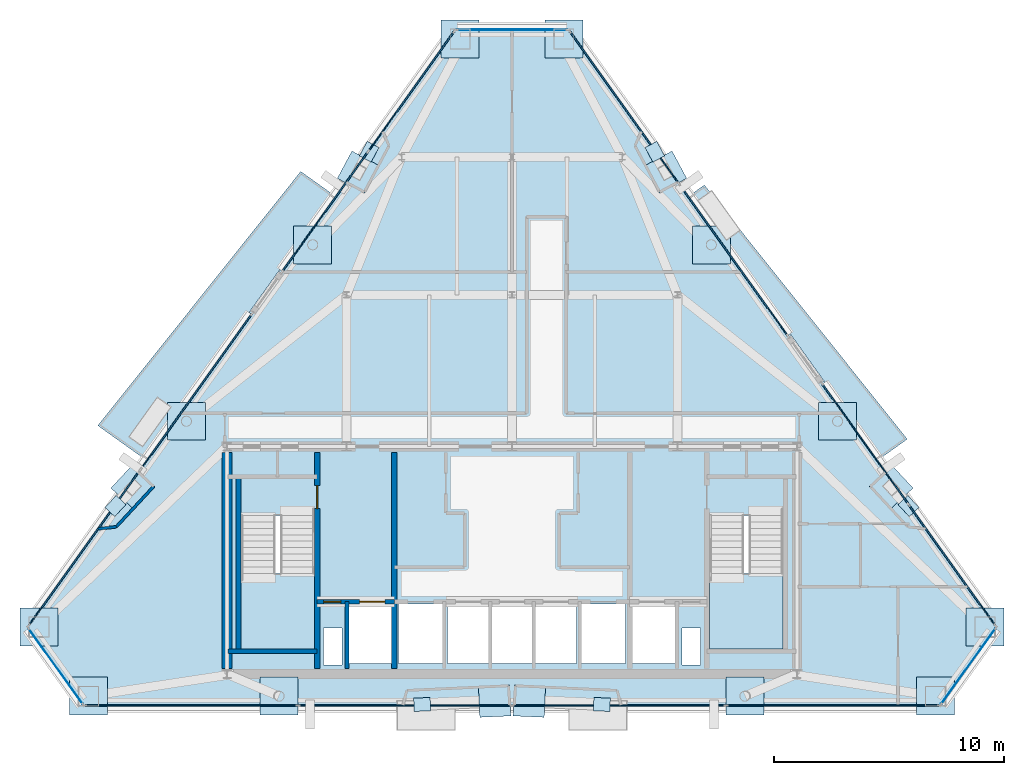
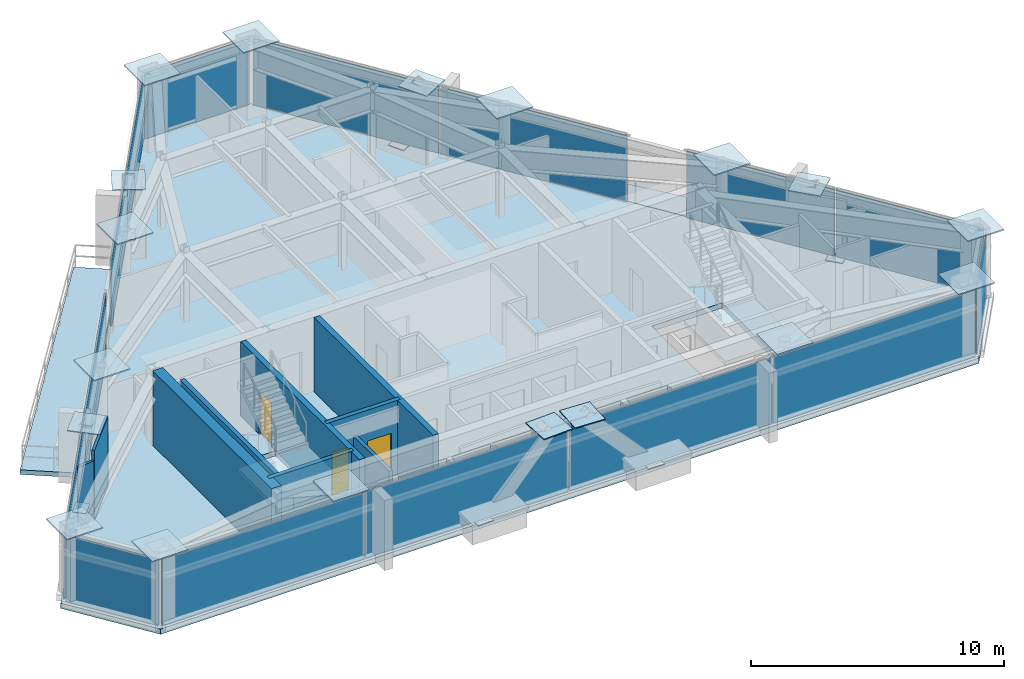
# One storey, part 7 of 12: 39 plates, 9 walls, 5 slabs, 3 doors, 3 openings, 10 elements without a shape of their own.
"""IFC4 building model written with IfcOpenShell, lengths in metres."""

from ifc_helpers import new_model, si_unit, direction, frame, frame_2d, origin, origin_2d, place, context, subcontext, project, spatial, polyline, rectangle, outline, extrude, source, transform, mapped, material, layer, layer_set, type_object, type_shapes, element, fill, aggregate, save


model = new_model("IFC4")

# Units and contexts
model_context = context("Model", 3, precision=1e-05, world=origin(), true_north=direction((0.0, 1.0)))
body_context = subcontext(model_context, "Body", "Model", "MODEL_VIEW")
ifc_project = project(units=[si_unit("LENGTHUNIT", "METRE"), si_unit("AREAUNIT", "SQUARE_METRE"), si_unit("VOLUMEUNIT", "CUBIC_METRE"), si_unit("PLANEANGLEUNIT", "RADIAN"), si_unit("MASSUNIT", "GRAM", prefix="KILO")], contexts=[model_context])

# Site, building, storey
site_placement = place(None, origin())
site = spatial("IfcSite", under=ifc_project, at=site_placement, CompositionType="ELEMENT")
building_placement = place(site_placement, origin())
building = spatial("IfcBuilding", under=site, at=building_placement, Name="Talgorran Terracotta Tower", CompositionType="ELEMENT")
storey_placement = place(building_placement, frame((0.0, 0.0, 259.800048828125)))
storey = spatial("IfcBuildingStorey", under=building, at=storey_placement, Name="L68", CompositionType="ELEMENT", Elevation=259.800048828125)

# Plates
ifc_material_1 = material(Name="Steel Grade 350 (350L0)", Category="steel")
ifc_layer_1 = layer(ifc_material_1, 0.031982421875, Name="PL_CAP_MN07")
ifc_layer_set_1 = layer_set([ifc_layer_1], Name="Steel Grade 350 (350L0)")
plate_type_1 = type_object("IfcPlateType", Name="PL_CAP_MN07", PredefinedType="USERDEFINED", material=ifc_layer_set_1)
for number, where, z_axis, x_axis, name in (
    (1, (-3.90966796875, -15.42333984375, -0.005859375), (0.0, 0.0, 1.0), (0.99895467426, 0.04571169187, 0.0), "L68 Diagonal Frame End Cap SWF Bot"),
    (2, (3.90966796875, -15.42333984375, -0.005859375), (0.0, 0.0, 1.0), (-0.99895467426, 0.04571169187, 0.0), "L68 Diagonal Frame End Cap SEF Bot"),
    (3, (17.255126953125, -6.7880859375, -0.005859375), (0.0, 0.0, 1.0), (-0.679569353932, 0.73361126845, 0.0), "L68 Diagonal Frame End Cap NEL Bot"),
    (4, (6.2158203125, 8.628173828125, -0.005859375), (0.0, 0.0, 1.0), (0.471935383883, -0.881633139939, 0.0), "L68 Diagonal Frame End Cap NEU Bot"),
    (5, (-6.2158203125, 8.628173828125, -0.005859375), (0.0, 0.0, 1.0), (-0.471935383883, -0.881633139939, 0.0), "L68 Diagonal Frame End Cap NWU Bot"),
    (6, (-17.255126953125, -6.7880859375, -0.005859375), (0.0, 0.0, 1.0), (0.679569353932, 0.73361126845, 0.0), "L68 Diagonal Frame End Cap NWL Bot"),
):
    element("IfcPlate", number, at=place(storey_placement, frame(where, z_axis=z_axis, x_axis=x_axis)), inside=storey, type_object=plate_type_1, Name=name, ObjectType="CAP PLATE", PredefinedType="USERDEFINED", context=body_context, shape_type="SweptSolid", body=[
        extrude(rectangle(XDim=0.719970703125, YDim=0.580078125, at=origin_2d()), origin(), (0.0, 0.0, 1.0), 0.031982421875),
    ])
ifc_layer_2 = layer(ifc_material_1, 0.06005859375, Name="PL_NODE_MN01")
ifc_layer_set_2 = layer_set([ifc_layer_2], Name="Steel Grade 350 (350L0)")
plate_type_2 = type_object("IfcPlateType", Name="PL_NODE_MN01", PredefinedType="USERDEFINED", material=ifc_layer_set_2)
for number, where, z_axis, x_axis, name in (
    (7, (-20.585205078125, -12.056640625, 3.5849609375), (0.0, 0.0, 1.0), (1.0, 0.0, 0.0), "L68 Mega-Column Cap Plate MC1"),
    (8, (-18.43212890625, -15.063232421875, 3.5849609375), (0.0, 0.0, 1.0), (1.0, 0.0, 0.0), "L68 Mega-Column Cap Plate MC2"),
    (9, (18.43212890625, -15.063232421875, 3.5849609375), (0.0, 0.0, 1.0), (1.0, 0.0, 0.0), "L68 Mega-Column Cap Plate MC3"),
    (10, (20.585205078125, -12.056640625, 3.5849609375), (0.0, 0.0, 1.0), (1.0, 0.0, 0.0), "L68 Mega-Column Cap Plate MC4"),
    (11, (2.258056640625, 13.53662109375, 3.5849609375), (0.0, 0.0, 1.0), (1.0, 0.0, 0.0), "L68 Mega-Column Cap Plate MC5"),
    (12, (-2.258056640625, 13.53662109375, 3.5849609375), (0.0, 0.0, 1.0), (1.0, 0.0, 0.0), "L68 Mega-Column Cap Plate MC6"),
    (13, (-10.1376953125, -15.063232421875, 3.5849609375), (0.0, 0.0, 1.0), (1.0, 0.0, 0.0), "L68 Facet Column Cap Plate FC1"),
    (14, (10.1376953125, -15.063232421875, 3.5849609375), (0.0, 0.0, 1.0), (1.0, 0.0, 0.0), "L68 Facet Column Cap Plate FC2"),
    (15, (14.170654296875, -3.09912109375, 3.5849609375), (0.0, 0.0, 1.0), (1.0, 0.0, 0.0), "L68 Facet Column Cap Plate FC3"),
    (16, (8.672607421875, 4.5791015625, 3.5849609375), (0.0, 0.0, 1.0), (1.0, 0.0, 0.0), "L68 Facet Column Cap Plate FC4"),
    (17, (-8.672607421875, 4.5791015625, 3.5849609375), (0.0, 0.0, 1.0), (1.0, 0.0, 0.0), "L68 Facet Column Cap Plate FC5"),
    (18, (-14.170654296875, -3.09912109375, 3.5849609375), (0.0, 0.0, 1.0), (1.0, 0.0, 0.0), "L68 Facet Column Cap Plate FC6"),
):
    element("IfcPlate", number, at=place(storey_placement, frame(where, z_axis=z_axis, x_axis=x_axis)), inside=storey, type_object=plate_type_2, Name=name, ObjectType="NODE PLATE", PredefinedType="USERDEFINED", context=body_context, shape_type="SweptSolid", body=[
        extrude(rectangle(XDim=1.64990234375, YDim=1.64990234375, at=origin_2d()), origin(), (0.0, 0.0, 1.0), 0.06005859375),
    ])
ifc_layer_3 = layer(ifc_material_1, 0.050048828125, Name="PL_NODE_MN03")
ifc_layer_set_3 = layer_set([ifc_layer_3], Name="Steel Grade 350 (350L0)")
plate_type_3 = type_object("IfcPlateType", Name="PL_NODE_MN03", PredefinedType="USERDEFINED", material=ifc_layer_set_3)
for number, where, z_axis, x_axis, name in (
    (19, (-0.756103515625, -15.27880859375, 3.31005859375), (0.0, 0.0, 1.0), (0.99895467426, 0.04571169187, 0.0), "L68 Diagonal Frame End Cap SWF Top"),
    (20, (0.756103515625, -15.27880859375, 3.31005859375), (0.0, 0.0, 1.0), (-0.99895467426, 0.04571169187, 0.0), "L68 Diagonal Frame End Cap SEF Top"),
    (21, (16.499267578125, -5.97216796875, 3.31005859375), (0.0, 0.0, 1.0), (-0.679569353932, 0.73361126845, 0.0), "L68 Diagonal Frame End Cap NEL Top"),
    (22, (6.6884765625, 7.74560546875, 3.31005859375), (0.0, 0.0, 1.0), (0.471935383883, -0.881633139939, 0.0), "L68 Diagonal Frame End Cap NEU Top"),
    (23, (-6.6884765625, 7.74560546875, 3.31005859375), (0.0, 0.0, 1.0), (-0.471935383883, -0.881633139939, 0.0), "L68 Diagonal Frame End Cap NWU Top"),
    (24, (-16.499267578125, -5.97216796875, 3.31005859375), (0.0, 0.0, 1.0), (0.679569353932, 0.73361126845, 0.0), "L68 Diagonal Frame End Cap NWL Top"),
):
    element("IfcPlate", number, at=place(storey_placement, frame(where, z_axis=z_axis, x_axis=x_axis)), inside=storey, type_object=plate_type_3, Name=name, ObjectType="NODE PLATE", PredefinedType="USERDEFINED", context=body_context, shape_type="SweptSolid", body=[
        extrude(rectangle(XDim=1.35009765625, YDim=1.35009765625, at=origin_2d()), origin(), (0.0, 0.0, 1.0), 0.050048828125),
    ])

# Slabs
ifc_material_2 = material(Name="Concrete C40/50", Category="concrete")
ifc_layer_4 = layer(ifc_material_2, 0.219970703125, Name="SL_BALCONY_220")
ifc_layer_set_4 = layer_set([ifc_layer_4], Name="Concrete C40/50")
slab_type_1 = type_object("IfcSlabType", Name="SL_BALCONY_220", PredefinedType="FLOOR", material=ifc_layer_set_4)
slab_1_placement = place(storey_placement, frame((0.0, 0.0, -0.219970703125)))
element("IfcSlab", 25, at=slab_1_placement, inside=storey, type_object=slab_type_1, Name="L68 Outdoor Wave Balcony BAL-NE", PredefinedType="FLOOR", context=body_context, shape_type="SweptSolid", body=[
    extrude(outline(polyline([(7.773193359375, 6.753662109375), (16.001220703125, -4.736083984375), (17.19970703125, -3.8779296875), (8.369873046875, 7.180908203125), (7.773193359375, 6.753662109375)])), origin(), (0.0, 0.0, 1.0), 0.219970703125),
])
slab_2_placement = place(storey_placement, frame((0.0, 0.0, -0.219970703125)))
element("IfcSlab", 26, at=slab_2_placement, inside=storey, type_object=slab_type_1, Name="L68 Outdoor Wave Balcony BAL-NW", PredefinedType="FLOOR", context=body_context, shape_type="SweptSolid", body=[
    extrude(outline(polyline([(-16.001220703125, -4.736083984375), (-7.773193359375, 6.753662109375), (-9.192626953125, 7.77001953125), (-18.0224609375, -3.288818359375), (-16.001220703125, -4.736083984375)])), origin(), (0.0, 0.0, 1.0), 0.219970703125),
])

# Stair, slab
stair_type = type_object("IfcStairType", Name="ST_FIRE_SCISSOR", PredefinedType="HALF_TURN_STAIR", material=ifc_material_2)
stair_1_placement = place(storey_placement, origin())
stair_1 = element("IfcStair", 27, at=stair_1_placement, inside=storey, type_object=stair_type, Name="L68 West Protected Fire Stair ST-01", PredefinedType="HALF_TURN_STAIR")
ifc_layer_5 = layer(ifc_material_2, 0.199951171875, Name="SL_LANDING_200")
ifc_layer_set_5 = layer_set([ifc_layer_5], Name="Concrete C40/50")
slab_type_2 = type_object("IfcSlabType", Name="SL_LANDING_200", PredefinedType="LANDING", material=ifc_layer_set_5)
slab_3_placement = place(storey_placement, frame((0.0, 0.0, 1.599853515625)))
slab_3 = element("IfcSlab", 28, at=slab_3_placement, type_object=slab_type_2, Name="ST-01 landing 1", PredefinedType="LANDING", context=body_context, shape_type="SweptSolid", body=[
    extrude(outline(polyline([(-11.800048828125, -9.719970703125), (-11.800048828125, -13.0), (-8.60009765625, -13.0), (-8.60009765625, -9.719970703125), (-11.800048828125, -9.719970703125)])), origin(), (0.0, 0.0, 1.0), 0.2001953125),
])
aggregate(stair_1, [slab_3])

stair_2_placement = place(storey_placement, origin())
stair_2 = element("IfcStair", 29, at=stair_2_placement, inside=storey, type_object=stair_type, Name="L68 East Protected Fire Stair ST-02", PredefinedType="HALF_TURN_STAIR")
slab_4_placement = place(storey_placement, frame((0.0, 0.0, 1.599853515625)))
slab_4 = element("IfcSlab", 30, at=slab_4_placement, type_object=slab_type_2, Name="ST-02 landing 1", PredefinedType="LANDING", context=body_context, shape_type="SweptSolid", body=[
    extrude(outline(polyline([(8.60009765625, -9.719970703125), (8.60009765625, -13.0), (11.800048828125, -13.0), (11.800048828125, -9.719970703125), (8.60009765625, -9.719970703125)])), origin(), (0.0, 0.0, 1.0), 0.2001953125),
])
aggregate(stair_2, [slab_4])

# Slab
ifc_layer_6 = layer(ifc_material_2, 0.2548828125, Name="SL_TOWER_235")
ifc_layer_set_6 = layer_set([ifc_layer_6], Name="Concrete C40/50")
slab_type_3 = type_object("IfcSlabType", Name="SL_TOWER_235", PredefinedType="FLOOR", material=ifc_layer_set_6)
slab_5_placement = place(storey_placement, frame((0.0, 0.0, -0.255126953125)))
element("IfcSlab", 31, at=slab_5_placement, inside=storey, type_object=slab_type_3, Name="Storey L68 Structural Floor Slab", PredefinedType="FLOOR", context=body_context, shape_type="SweptSolid", body=[
    extrude(outline(polyline([(-21.224609375, -12.056640625), (-18.69921875, -15.583251953125), (18.69921875, -15.583251953125), (21.224609375, -12.056640625), (2.525390625, 14.056640625), (-2.525390625, 14.056640625), (-21.224609375, -12.056640625)]), holes=[polyline([(-11.800048828125, -7.199951171875), (-11.800048828125, -13.0), (-8.60009765625, -13.0), (-8.60009765625, -7.199951171875), (-11.800048828125, -7.199951171875)]), polyline([(8.60009765625, -7.199951171875), (8.60009765625, -13.0), (11.800048828125, -13.0), (11.800048828125, -7.199951171875), (8.60009765625, -7.199951171875)]), polyline([(-7.10009765625, -13.64990234375), (-5.199951171875, -13.64990234375), (-5.199951171875, -11.050048828125), (-7.10009765625, -11.050048828125), (-7.10009765625, -13.64990234375)]), polyline([(5.199951171875, -13.64990234375), (7.10009765625, -13.64990234375), (7.10009765625, -11.050048828125), (5.199951171875, -11.050048828125), (5.199951171875, -13.64990234375)]), polyline([(3.0, -13.64990234375), (4.949951171875, -13.64990234375), (4.949951171875, -11.050048828125), (3.0, -11.050048828125), (3.0, -13.64990234375)]), polyline([(-4.949951171875, -13.64990234375), (-3.0, -13.64990234375), (-3.0, -11.050048828125), (-4.949951171875, -11.050048828125), (-4.949951171875, -13.64990234375)]), polyline([(-2.800048828125, -13.64990234375), (-1.0, -13.64990234375), (-1.0, -11.050048828125), (-2.800048828125, -11.050048828125), (-2.800048828125, -13.64990234375)]), polyline([(-0.89990234375, -13.64990234375), (0.89990234375, -13.64990234375), (0.89990234375, -11.050048828125), (-0.89990234375, -11.050048828125), (-0.89990234375, -13.64990234375)]), polyline([(1.0, -13.64990234375), (2.800048828125, -13.64990234375), (2.800048828125, -11.050048828125), (1.0, -11.050048828125), (1.0, -13.64990234375)]), polyline([(-8.199951171875, -13.699951171875), (-7.39990234375, -13.699951171875), (-7.39990234375, -12.10009765625), (-8.199951171875, -12.10009765625), (-8.199951171875, -13.699951171875)]), polyline([(7.39990234375, -13.699951171875), (8.199951171875, -13.699951171875), (8.199951171875, -12.10009765625), (7.39990234375, -12.10009765625), (7.39990234375, -13.699951171875)])]), origin(), (0.0, 0.0, 1.0), 0.255126953125),
])

# Curtain wall, plate
ifc_material_3 = material(Name="High-Wind Unitised Glazing", Category="glass")
ifc_layer_7 = layer(ifc_material_3, 0.2099609375, Name="CW_SYS3_RES_HIGH")
ifc_layer_set_7 = layer_set([ifc_layer_7], Name="High-Wind Unitised Glazing")
curtain_wall_type = type_object("IfcCurtainWallType", Name="CW_SYS3_RES_HIGH", PredefinedType="NOTDEFINED", material=ifc_layer_set_7)
curtain_wall_1_placement = place(storey_placement, origin())
curtain_wall_1 = element("IfcCurtainWall", 32, at=curtain_wall_1_placement, inside=storey, type_object=curtain_wall_type, Name="CW-L68-F0", PredefinedType="NOTDEFINED")
ifc_material_4 = material(Name="High-Wind Acoustic Vision Glass", Category="glass")
ifc_layer_8 = layer(ifc_material_4, 0.031982421875, Name="PLT_VISION_32")
ifc_layer_set_8 = layer_set([ifc_layer_8], Name="High-Wind Acoustic Vision Glass")
plate_type_4 = type_object("IfcPlateType", Name="PLT_VISION_32", PredefinedType="CURTAIN_PANEL", material=ifc_layer_set_8)
shared_shape_1 = source(origin(), body_context, "Body", "SweptSolid", [
    extrude(rectangle(XDim=4.050048828125, YDim=0.031982421875, at=origin_2d()), origin(), (0.0, 0.0, 1.0), 3.205078125),
])
plate_1_placement = place(storey_placement, frame((-19.857421875, -13.760009765625, 0.06982421875), z_axis=(0.0, 0.0, 1.0), x_axis=(0.582219838862, -0.813031401137, 0.0)))
plate_1 = element("IfcPlate", 33, at=plate_1_placement, type_object=plate_type_4, Name="CW-L68-0 panel 1.1", PredefinedType="CURTAIN_PANEL", context=body_context, shape_type="MappedRepresentation", body=[
    mapped(shared_shape_1, transform((0.0, 0.0, 0.0), scale=1.0)),
])
aggregate(curtain_wall_1, [plate_1])

curtain_wall_2_placement = place(storey_placement, origin())
curtain_wall_2 = element("IfcCurtainWall", 34, at=curtain_wall_2_placement, inside=storey, type_object=curtain_wall_type, Name="CW-L68-F2", PredefinedType="NOTDEFINED")
plate_2_placement = place(storey_placement, frame((19.857421875, -13.760009765625, 0.06982421875), z_axis=(0.0, 0.0, 1.0), x_axis=(0.582219838862, 0.813031401137, 0.0)))
plate_2 = element("IfcPlate", 35, at=plate_2_placement, type_object=plate_type_4, Name="CW-L68-2 panel 1.1", PredefinedType="CURTAIN_PANEL", context=body_context, shape_type="MappedRepresentation", body=[
    mapped(shared_shape_1, transform((0.0, 0.0, 0.0), scale=1.0)),
])
aggregate(curtain_wall_2, [plate_2])

curtain_wall_3_placement = place(storey_placement, origin())
curtain_wall_3 = element("IfcCurtainWall", 36, at=curtain_wall_3_placement, inside=storey, type_object=curtain_wall_type, Name="CW-L68-F4", PredefinedType="NOTDEFINED")
shared_shape_2 = source(origin(), body_context, "Body", "SweptSolid", [
    extrude(rectangle(XDim=4.787109375, YDim=0.031982421875, at=origin_2d()), origin(), (0.0, 0.0, 1.0), 3.205078125),
])
type_shapes(plate_type_4, [shared_shape_1, shared_shape_2])
plate_3_placement = place(storey_placement, frame((0.0, 13.936767578125, 0.06982421875), z_axis=(0.0, 0.0, 1.0), x_axis=(-1.0, 0.0, 0.0)))
plate_3 = element("IfcPlate", 37, at=plate_3_placement, type_object=plate_type_4, Name="CW-L68-4 panel 1.1", PredefinedType="CURTAIN_PANEL", context=body_context, shape_type="MappedRepresentation", body=[
    mapped(shared_shape_2, transform((0.0, 0.0, 0.0), scale=1.0)),
])
aggregate(curtain_wall_3, [plate_3])

# Curtain wall, plates
curtain_wall_4_placement = place(storey_placement, origin())
curtain_wall_4 = element("IfcCurtainWall", 38, at=curtain_wall_4_placement, inside=storey, type_object=curtain_wall_type, Name="CW-L68-F1", PredefinedType="NOTDEFINED")
ifc_material_5 = material(Name="Terracotta Insulated Spandrel", Category="masonry")
ifc_layer_9 = layer(ifc_material_5, 0.06494140625, Name="PLT_SPANDREL_TERRA")
ifc_layer_set_9 = layer_set([ifc_layer_9], Name="Terracotta Insulated Spandrel")
plate_type_5 = type_object("IfcPlateType", Name="PLT_SPANDREL_TERRA", PredefinedType="SHEET", material=ifc_layer_set_9)
shared_shape_3 = source(origin(), body_context, "Body", "SweptSolid", [
    extrude(rectangle(XDim=9.2138671875, YDim=0.06494140625, at=origin_2d()), origin(), (0.0, 0.0, 1.0), 3.205078125),
])
plate_4_placement = place(storey_placement, frame((-13.960693359375, -15.46337890625, 0.06982421875), z_axis=(0.0, 0.0, 1.0), x_axis=(1.0, 0.0, 0.0)))
plate_4 = element("IfcPlate", 39, at=plate_4_placement, type_object=plate_type_5, Name="CW-L68-1 panel 1.1", PredefinedType="CURTAIN_PANEL", context=body_context, shape_type="MappedRepresentation", body=[
    mapped(shared_shape_3, transform((0.0, 0.0, 0.0), scale=1.0)),
])
plate_5_placement = place(storey_placement, frame((13.960693359375, -15.46337890625, 0.06982421875), z_axis=(0.0, 0.0, 1.0), x_axis=(1.0, 0.0, 0.0)))
plate_5 = element("IfcPlate", 40, at=plate_5_placement, type_object=plate_type_5, Name="CW-L68-1 panel 4.1", PredefinedType="CURTAIN_PANEL", context=body_context, shape_type="MappedRepresentation", body=[
    mapped(shared_shape_3, transform((0.0, 0.0, 0.0), scale=1.0)),
])
shared_shape_4 = source(origin(), body_context, "Body", "SweptSolid", [
    extrude(rectangle(XDim=9.248779296875, YDim=0.06494140625, at=origin_2d()), origin(), (0.0, 0.0, 1.0), 3.205078125),
])
plate_6_placement = place(storey_placement, frame((-4.659423828125, -15.46337890625, 0.06982421875), z_axis=(0.0, 0.0, 1.0), x_axis=(1.0, 0.0, 0.0)))
plate_6 = element("IfcPlate", 41, at=plate_6_placement, type_object=plate_type_5, Name="CW-L68-1 panel 2.1", PredefinedType="CURTAIN_PANEL", context=body_context, shape_type="MappedRepresentation", body=[
    mapped(shared_shape_4, transform((0.0, 0.0, 0.0), scale=1.0)),
])
plate_7_placement = place(storey_placement, frame((4.659423828125, -15.46337890625, 0.06982421875), z_axis=(0.0, 0.0, 1.0), x_axis=(1.0, 0.0, 0.0)))
plate_7 = element("IfcPlate", 42, at=plate_7_placement, type_object=plate_type_5, Name="CW-L68-1 panel 3.1", PredefinedType="CURTAIN_PANEL", context=body_context, shape_type="MappedRepresentation", body=[
    mapped(shared_shape_4, transform((0.0, 0.0, 0.0), scale=1.0)),
])
aggregate(curtain_wall_4, [plate_4, plate_6, plate_7, plate_5])

curtain_wall_5_placement = place(storey_placement, origin())
curtain_wall_5 = element("IfcCurtainWall", 43, at=curtain_wall_5_placement, inside=storey, type_object=curtain_wall_type, Name="CW-L68-F40", PredefinedType="NOTDEFINED")
shared_shape_5 = source(origin(), body_context, "Body", "SweptSolid", [
    extrude(rectangle(XDim=6.4130859375, YDim=0.06494140625, at=origin_2d()), origin(), (0.0, 0.0, 1.0), 3.205078125),
])
plate_8_placement = place(storey_placement, frame((19.146240234375, -9.3603515625, 0.06982421875), z_axis=(0.0, 0.0, 1.0), x_axis=(-0.58220433986, 0.813042499903, 0.0)))
plate_8 = element("IfcPlate", 44, at=plate_8_placement, type_object=plate_type_5, Name="CW-L68-40 panel 1.1", PredefinedType="CURTAIN_PANEL", context=body_context, shape_type="MappedRepresentation", body=[
    mapped(shared_shape_5, transform((0.0, 0.0, 0.0), scale=1.0)),
])
plate_9_placement = place(storey_placement, frame((15.371826171875, -4.08935546875, 0.06982421875), z_axis=(0.0, 0.0, 1.0), x_axis=(-0.58220433986, 0.813042499903, 0.0)))
plate_9 = element("IfcPlate", 45, at=plate_9_placement, type_object=plate_type_5, Name="CW-L68-40 panel 2.1", PredefinedType="CURTAIN_PANEL", context=body_context, shape_type="MappedRepresentation", body=[
    mapped(shared_shape_5, transform((0.0, 0.0, 0.0), scale=1.0)),
])
aggregate(curtain_wall_5, [plate_8, plate_9])

curtain_wall_6_placement = place(storey_placement, origin())
curtain_wall_6 = element("IfcCurtainWall", 46, at=curtain_wall_6_placement, inside=storey, type_object=curtain_wall_type, Name="CW-L68-F41", PredefinedType="NOTDEFINED")
shared_shape_6 = source(origin(), body_context, "Body", "SweptSolid", [
    extrude(rectangle(XDim=8.09228515625, YDim=0.06494140625, at=origin_2d()), origin(), (0.0, 0.0, 1.0), 3.205078125),
])
plate_10_placement = place(storey_placement, frame((9.635498046875, 3.92138671875, 0.06982421875), z_axis=(0.0, 0.0, 1.0), x_axis=(-0.582204236384, 0.813042574, 0.0)))
plate_10 = element("IfcPlate", 47, at=plate_10_placement, type_object=plate_type_5, Name="CW-L68-41 panel 1.1", PredefinedType="CURTAIN_PANEL", context=body_context, shape_type="MappedRepresentation", body=[
    mapped(shared_shape_6, transform((0.0, 0.0, 0.0), scale=1.0)),
])
plate_11_placement = place(storey_placement, frame((4.88330078125, 10.5576171875, 0.06982421875), z_axis=(0.0, 0.0, 1.0), x_axis=(-0.582204236384, 0.813042574, 0.0)))
plate_11 = element("IfcPlate", 48, at=plate_11_placement, type_object=plate_type_5, Name="CW-L68-41 panel 2.1", PredefinedType="CURTAIN_PANEL", context=body_context, shape_type="MappedRepresentation", body=[
    mapped(shared_shape_6, transform((0.0, 0.0, 0.0), scale=1.0)),
])
aggregate(curtain_wall_6, [plate_10, plate_11])

curtain_wall_7_placement = place(storey_placement, origin())
curtain_wall_7 = element("IfcCurtainWall", 49, at=curtain_wall_7_placement, inside=storey, type_object=curtain_wall_type, Name="CW-L68-F60", PredefinedType="NOTDEFINED")
shared_shape_7 = source(origin(), body_context, "Body", "SweptSolid", [
    extrude(rectangle(XDim=6.3759765625, YDim=0.06494140625, at=origin_2d()), origin(), (0.0, 0.0, 1.0), 3.205078125),
])
plate_12_placement = place(storey_placement, frame((-4.3837890625, 11.25537109375, 0.06982421875), z_axis=(0.0, 0.0, 1.0), x_axis=(-0.582206199848, -0.813041167998, 0.0)))
plate_12 = element("IfcPlate", 50, at=plate_12_placement, type_object=plate_type_5, Name="CW-L68-60 panel 1.1", PredefinedType="CURTAIN_PANEL", context=body_context, shape_type="MappedRepresentation", body=[
    mapped(shared_shape_7, transform((0.0, 0.0, 0.0), scale=1.0)),
])
plate_13_placement = place(storey_placement, frame((-8.13671875, 6.014404296875, 0.06982421875), z_axis=(0.0, 0.0, 1.0), x_axis=(-0.582206199848, -0.813041167998, 0.0)))
plate_13 = element("IfcPlate", 51, at=plate_13_placement, type_object=plate_type_5, Name="CW-L68-60 panel 2.1", PredefinedType="CURTAIN_PANEL", context=body_context, shape_type="MappedRepresentation", body=[
    mapped(shared_shape_7, transform((0.0, 0.0, 0.0), scale=1.0)),
])
aggregate(curtain_wall_7, [plate_12, plate_13])

curtain_wall_8_placement = place(storey_placement, origin())
curtain_wall_8 = element("IfcCurtainWall", 52, at=curtain_wall_8_placement, inside=storey, type_object=curtain_wall_type, Name="CW-L68-F61", PredefinedType="NOTDEFINED")
shared_shape_8 = source(origin(), body_context, "Body", "SweptSolid", [
    extrude(rectangle(XDim=8.279296875, YDim=0.06494140625, at=origin_2d()), origin(), (0.0, 0.0, 1.0), 3.205078125),
])
type_shapes(plate_type_5, [shared_shape_3, shared_shape_4, shared_shape_5, shared_shape_6, shared_shape_7, shared_shape_8])
plate_14_placement = place(storey_placement, frame((-13.741943359375, -1.813232421875, 0.06982421875), z_axis=(0.0, 0.0, 1.0), x_axis=(-0.5822058056, -0.813041450312, 0.0)))
plate_14 = element("IfcPlate", 53, at=plate_14_placement, type_object=plate_type_5, Name="CW-L68-61 panel 1.1", PredefinedType="CURTAIN_PANEL", context=body_context, shape_type="MappedRepresentation", body=[
    mapped(shared_shape_8, transform((0.0, 0.0, 0.0), scale=1.0)),
])
plate_15_placement = place(storey_placement, frame((-18.60302734375, -8.6015625, 0.06982421875), z_axis=(0.0, 0.0, 1.0), x_axis=(-0.5822058056, -0.813041450312, 0.0)))
plate_15 = element("IfcPlate", 54, at=plate_15_placement, type_object=plate_type_5, Name="CW-L68-61 panel 2.1", PredefinedType="CURTAIN_PANEL", context=body_context, shape_type="MappedRepresentation", body=[
    mapped(shared_shape_8, transform((0.0, 0.0, 0.0), scale=1.0)),
])
aggregate(curtain_wall_8, [plate_14, plate_15])

# Walls
ifc_material_6 = material(Name="Concrete C50/60", Category="concrete")
ifc_layer_10 = layer(ifc_material_6, 0.199951171875, Name="WT_CORE_200")
ifc_layer_set_10 = layer_set([ifc_layer_10], Name="Concrete C50/60")
wall_type_1 = type_object("IfcWallType", Name="WT_CORE_200", PredefinedType="SOLIDWALL", material=ifc_layer_set_10)
wall_1_placement = place(storey_placement, frame((-12.35009765625, -13.10009765625, 0.0), z_axis=(0.0, 0.0, 1.0), x_axis=(1.0, 0.0, 0.0)))
element("IfcWall", 55, at=wall_1_placement, inside=storey, type_object=wall_type_1, Name="WL-L68-CW-ST1-S", PredefinedType="SOLIDWALL", context=body_context, shape_type="SweptSolid", body=[
    extrude(rectangle(XDim=3.8701171875, YDim=0.199951171875, at=frame_2d((1.93505859375, 0.0))), origin(), (0.0, 0.0, 1.0), 3.599853515625),
])
wall_2_placement = place(storey_placement, frame((-11.89990234375, -13.10009765625, 0.0), z_axis=(0.0, 0.0, 1.0), x_axis=(0.0, 1.0, 0.0)))
element("IfcWall", 56, at=wall_2_placement, inside=storey, type_object=wall_type_1, Name="WL-L68-CW-ST1-W", PredefinedType="SOLIDWALL", context=body_context, shape_type="SweptSolid", body=[
    extrude(rectangle(XDim=7.580078125, YDim=0.199951171875, at=frame_2d((3.7900390625, 0.0))), origin(), (0.0, 0.0, 1.0), 3.599853515625),
])

# Wall, openings, doors
wall_3_placement = place(storey_placement, frame((-8.47998046875, -10.949951171875, 0.0), z_axis=(0.0, 0.0, 1.0), x_axis=(1.0, 0.0, 0.0)))
wall_3 = element("IfcWall", 57, at=wall_3_placement, inside=storey, type_object=wall_type_1, Name="WL-L68-CW-H-SBW", PredefinedType="SOLIDWALL", context=body_context, shape_type="SweptSolid", body=[
    extrude(rectangle(XDim=3.35986328125, YDim=0.199951171875, at=frame_2d((1.679931640625, 0.0))), origin(), (0.0, 0.0, 1.0), 3.599853515625),
])
opening_1_placement = place(wall_3_placement, frame((0.280029296875, 0.0, 0.0)))
opening_1 = element("IfcOpeningElement", 58, at=opening_1_placement, cuts=wall_3, Name="Opening DR-RSW", PredefinedType="OPENING", context=body_context, shape_type="SweptSolid", body=[
    extrude(rectangle(XDim=0.756, YDim=2.054048828125, at=frame_2d((0.375, 1.027099609375))), frame((0.0, 0.10986328125, 0.0), z_axis=(0.0, -1.0, 0.0), x_axis=(1.0, 0.0, 0.0)), (0.0, 0.0, 1.0), 0.219970703125),
])
opening_2_placement = place(wall_3_placement, frame((1.85009765625, 0.0, 0.0)))
opening_2 = element("IfcOpeningElement", 59, at=opening_2_placement, cuts=wall_3, Name="Opening LD-FFL1", PredefinedType="OPENING", context=body_context, shape_type="SweptSolid", body=[
    extrude(rectangle(XDim=1.10609765625, YDim=2.10409765625, at=frame_2d((0.550048828125, 1.052001953125))), frame((0.0, 0.10986328125, 0.0), z_axis=(0.0, -1.0, 0.0), x_axis=(1.0, 0.0, 0.0)), (0.0, 0.0, 1.0), 0.219970703125),
])
ifc_material_7 = material(Name="Brushed Stainless Steel Grade 304", Category="steel")
door_type_1 = type_object("IfcDoorType", Name="DT_LIFT_LD1100", OperationType="DOUBLE_DOOR_SLIDING", PredefinedType="DOOR", material=ifc_material_7)
door_1_placement = place(opening_2_placement, origin())
door_1 = element("IfcDoor", 60, at=door_1_placement, inside=storey, type_object=door_type_1, Name="L68 Lift Landing Door LD-FFL1", OperationType="DOUBLE_DOOR_SLIDING", OverallHeight=2.10009765625, OverallWidth=1.10009765625, PredefinedType="DOOR", context=body_context, shape_type="SweptSolid", body=[
    extrude(rectangle(XDim=1.10009765625, YDim=2.10009765625, at=frame_2d((0.550048828125, 1.050048828125))), frame((0.0, 0.02490234375, 0.0), z_axis=(0.0, -1.0, 0.0), x_axis=(1.0, 0.0, 0.0)), (0.0, 0.0, 1.0), 0.050048828125),
])
fill(opening_2, door_1)
ifc_material_8 = material(Name="Fire-Rated Pressed Steel", Category="steel")
door_type_2 = type_object("IfcDoorType", Name="DT_RISER_750", OperationType="NOTDEFINED", PredefinedType="DOOR", material=ifc_material_8)
door_2_placement = place(opening_1_placement, origin())
door_2 = element("IfcDoor", 61, at=door_2_placement, inside=storey, type_object=door_type_2, Name="DR-RSW", OperationType="SINGLE_SWING_LEFT", OverallHeight=2.050048828125, OverallWidth=0.75, PredefinedType="DOOR", context=body_context, shape_type="SweptSolid", body=[
    extrude(rectangle(XDim=0.75, YDim=2.050048828125, at=frame_2d((0.375, 1.02490234375))), frame((0.0, 0.02490234375, 0.0), z_axis=(0.0, -1.0, 0.0), x_axis=(1.0, 0.0, 0.0)), (0.0, 0.0, 1.0), 0.050048828125),
])
fill(opening_1, door_2)

# Wall, opening, door
ifc_layer_11 = layer(ifc_material_6, 0.25, Name="WT_CORE_250")
ifc_layer_set_11 = layer_set([ifc_layer_11], Name="Concrete C50/60")
wall_type_2 = type_object("IfcWallType", Name="WT_CORE_250", PredefinedType="SHEAR", material=ifc_layer_set_11)
wall_4_placement = place(storey_placement, frame((-8.47998046875, -13.85009765625, 0.0), z_axis=(0.0, 0.0, 1.0), x_axis=(0.0, 1.0, 0.0)))
wall_4 = element("IfcWall", 62, at=wall_4_placement, inside=storey, type_object=wall_type_2, Name="WL-L68-CW-V-W1", PredefinedType="SHEAR", context=body_context, shape_type="SweptSolid", body=[
    extrude(rectangle(XDim=9.400146484375, YDim=0.25, at=frame_2d((4.7001953125, 0.0))), origin(), (0.0, 0.0, 1.0), 3.599853515625),
])
opening_3_placement = place(wall_4_placement, frame((6.949951171875, 0.0, 0.0)))
opening_3 = element("IfcOpeningElement", 63, at=opening_3_placement, cuts=wall_4, Name="Opening DR-ST01", PredefinedType="OPENING", context=body_context, shape_type="SweptSolid", body=[
    extrude(rectangle(XDim=1.006, YDim=2.10409765625, at=frame_2d((0.5, 1.052001953125))), frame((0.0, 0.135009765625, 0.0), z_axis=(0.0, -1.0, 0.0), x_axis=(1.0, 0.0, 0.0)), (0.0, 0.0, 1.0), 0.27001953125),
])
door_type_3 = type_object("IfcDoorType", Name="DT_FIRE_1000", OperationType="NOTDEFINED", PredefinedType="DOOR", material=ifc_material_8)
door_3_placement = place(opening_3_placement, origin())
door_3 = element("IfcDoor", 64, at=door_3_placement, inside=storey, type_object=door_type_3, Name="DR-ST01", OperationType="SINGLE_SWING_LEFT", OverallHeight=2.10009765625, OverallWidth=1.0, PredefinedType="DOOR", context=body_context, shape_type="SweptSolid", body=[
    extrude(rectangle(XDim=1.0, YDim=2.10009765625, at=frame_2d((0.5, 1.050048828125))), frame((0.0, 0.02490234375, 0.0), z_axis=(0.0, -1.0, 0.0), x_axis=(1.0, 0.0, 0.0)), (0.0, 0.0, 1.0), 0.050048828125),
])
fill(opening_3, door_3)

# Walls
wall_5_placement = place(storey_placement, frame((-5.1201171875, -13.85009765625, 0.0), z_axis=(0.0, 0.0, 1.0), x_axis=(0.0, 1.0, 0.0)))
element("IfcWall", 65, at=wall_5_placement, inside=storey, type_object=wall_type_2, Name="WL-L68-CW-V-W2", PredefinedType="SHEAR", context=body_context, shape_type="SweptSolid", body=[
    extrude(rectangle(XDim=9.400146484375, YDim=0.25, at=frame_2d((4.7001953125, 0.0))), origin(), (0.0, 0.0, 1.0), 3.599853515625),
])
ifc_material_9 = material(Name="Concrete C65/80", Category="concrete")
ifc_layer_12 = layer(ifc_material_9, 0.449951171875, Name="WT_CORE_EXT")
ifc_layer_set_12 = layer_set([ifc_layer_12], Name="Concrete C65/80")
wall_type_3 = type_object("IfcWallType", Name="WT_CORE_EXT", PredefinedType="SHEAR", material=ifc_layer_set_12)
wall_6_placement = place(storey_placement, frame((-12.39990234375, -13.85009765625, 0.0), z_axis=(0.0, 0.0, 1.0), x_axis=(0.0, 1.0, 0.0)))
element("IfcWall", 66, at=wall_6_placement, inside=storey, type_object=wall_type_3, Name="WL-L68-CW-OUT-W", PredefinedType="SHEAR", context=body_context, shape_type="SweptSolid", body=[
    extrude(rectangle(XDim=9.400146484375, YDim=0.449951171875, at=frame_2d((4.7001953125, 0.0))), origin(), (0.0, 0.0, 1.0), 3.599853515625),
])
ifc_material_10 = material(Name="Insulated Steel Stud Plasterboard", Category="steel")
ifc_layer_13 = layer(ifc_material_10, 0.1201171875, Name="WT_PART_120")
ifc_layer_set_13 = layer_set([ifc_layer_13], Name="Insulated Steel Stud Plasterboard")
wall_type_4 = type_object("IfcWallType", Name="WT_PART_120", PredefinedType="PARTITIONING", material=ifc_layer_set_13)
wall_7_placement = place(storey_placement, frame((-15.594970703125, -5.9375, 0.0), z_axis=(0.0, 0.0, 1.0), x_axis=(-0.679546396481, -0.733632534059, 0.0)))
element("IfcWall", 67, at=wall_7_placement, inside=storey, type_object=wall_type_4, Name="WL-L68-BW-L68-08", PredefinedType="PARTITIONING", context=body_context, shape_type="SweptSolid", body=[
    extrude(rectangle(XDim=2.392333984375, YDim=0.1201171875, at=frame_2d((1.1962890625, 0.0))), origin(), (0.0, 0.0, 1.0), 3.344970703125),
])
wall_8_placement = place(storey_placement, frame((-17.220703125, -7.692626953125, 0.0), z_axis=(0.0, 0.0, 1.0), x_axis=(-0.993422482681, -0.114506641306, 0.0)))
element("IfcWall", 68, at=wall_8_placement, inside=storey, type_object=wall_type_4, Name="WL-L68-BW-L68-09", PredefinedType="PARTITIONING", context=body_context, shape_type="SweptSolid", body=[
    extrude(rectangle(XDim=0.788818359375, YDim=0.1201171875, at=frame_2d((0.39453125, 0.0))), origin(), (0.0, 0.0, 1.0), 2.863037109375),
])
ifc_material_11 = material(Name="Fire-Rated Shaftwall")
ifc_layer_14 = layer(ifc_material_11, 0.159912109375, Name="WT_PART_150")
ifc_layer_set_14 = layer_set([ifc_layer_14], Name="Fire-Rated Shaftwall")
wall_type_5 = type_object("IfcWallType", Name="WT_PART_150", PredefinedType="PARTITIONING", material=ifc_layer_set_14)
wall_9_placement = place(storey_placement, frame((-7.179931640625, -13.85009765625, 0.0), z_axis=(0.0, 0.0, 1.0), x_axis=(0.0, 1.0, 0.0)))
element("IfcWall", 69, at=wall_9_placement, inside=storey, type_object=wall_type_5, Name="WL-L68-CW-RSW", PredefinedType="PARTITIONING", context=body_context, shape_type="SweptSolid", body=[
    extrude(rectangle(XDim=2.900146484375, YDim=0.159912109375, at=frame_2d((1.4501953125, 0.0))), origin(), (0.0, 0.0, 1.0), 2.570068359375),
])

save(model, "model.ifc")
